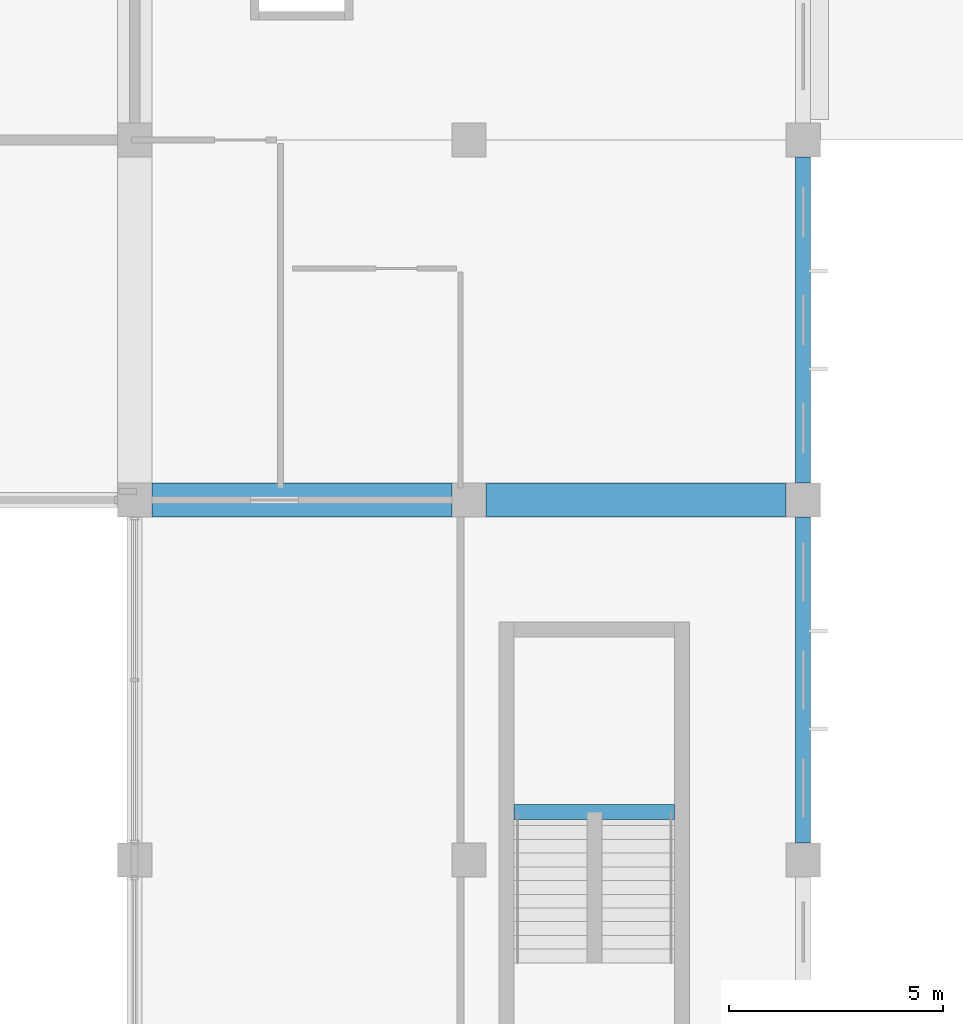
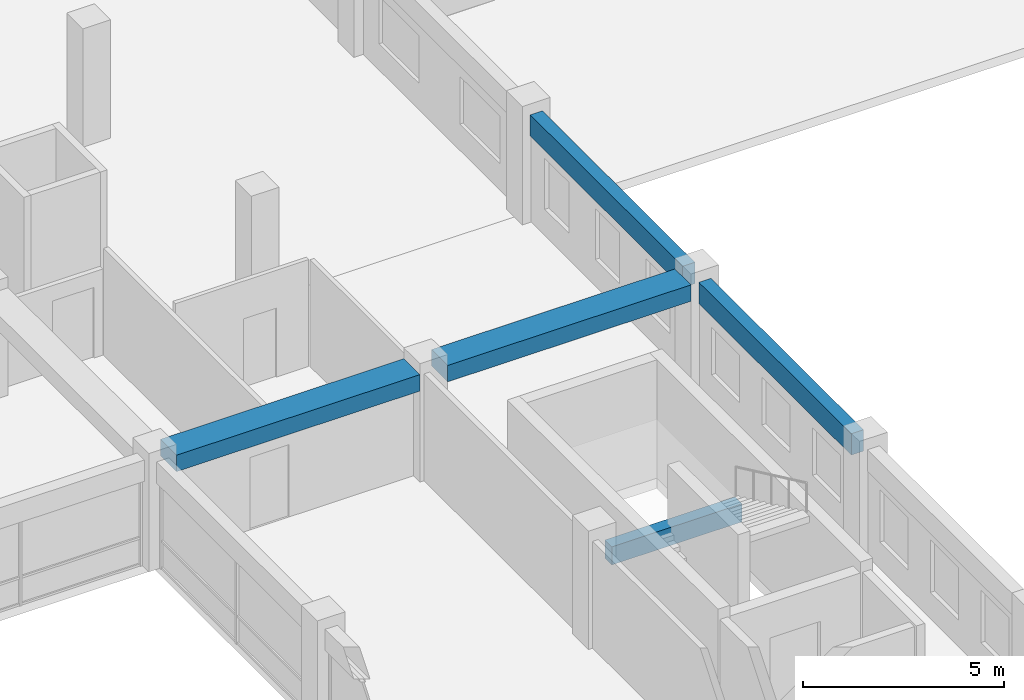
# One storey, part 19 of 50: 5 beams.
"""IFC4 building model written with IfcOpenShell, lengths in metres."""

from ifc_helpers import new_model, si_unit, direction, frame, origin, origin_2d, place, context, subcontext, project, spatial, rectangle, extrude, material, material_profile, profile_set, type_object, element, save


model = new_model("IFC4")

# Units and contexts
model_context = context("Model", 3, precision=1e-05, world=origin(), true_north=direction((0.0, 1.0)))
body_context = subcontext(model_context, "Body", "Model", "MODEL_VIEW")
ifc_project = project(units=[si_unit("LENGTHUNIT", "METRE"), si_unit("AREAUNIT", "SQUARE_METRE"), si_unit("VOLUMEUNIT", "CUBIC_METRE"), si_unit("PLANEANGLEUNIT", "RADIAN"), si_unit("MASSUNIT", "GRAM", prefix="KILO"), si_unit("THERMODYNAMICTEMPERATUREUNIT", "KELVIN"), si_unit("POWERUNIT", "WATT")], contexts=[model_context])

# Site, building, storey
site_placement = place(None, origin())
site = spatial("IfcSite", under=ifc_project, at=site_placement, CompositionType="ELEMENT")
building_placement = place(site_placement, origin())
building = spatial("IfcBuilding", under=site, at=building_placement, Name="Srebrne Nadtorze General Hospital", CompositionType="ELEMENT")
storey_placement = place(building_placement, frame((0.0, 0.0, 14.39990234375)))
storey = spatial("IfcBuildingStorey", under=building, at=storey_placement, Name="L03", CompositionType="ELEMENT", Elevation=14.39990234375)

# Beams
ifc_material_1 = material(Name="Concrete C35/45", Category="concrete")
ifc_material_profile_1 = material_profile(ifc_material_1, rectangle(XDim=0.35009765625, YDim=0.64990234375, at=origin_2d()), Name="RC-BM-350x650")
ifc_profile_set_1 = profile_set([ifc_material_profile_1], Name="Concrete C35/45")
beam_type_1 = type_object("IfcBeamType", Name="Edge beam RC 350x650", PredefinedType="BEAM", material=ifc_profile_set_1)
beam_1_placement = place(storey_placement, frame((148.199951171875, 17.199951171875, 2.945068359375), z_axis=(0.0, 1.0, 0.0), x_axis=(-1.0, 0.0, 0.0)))
element("IfcBeam", 1, at=beam_1_placement, inside=storey, type_object=beam_type_1, Name="Beam BM-L03-Y-0850", PredefinedType="BEAM", context=body_context, shape_type="SweptSolid", body=[
    extrude(rectangle(XDim=0.35009765625, YDim=0.64990234375, at=origin_2d()), origin(), (0.0, 0.0, 1.0), 7.60009765625),
])
beam_2_placement = place(storey_placement, frame((148.199951171875, 25.60009765625, 2.945068359375), z_axis=(0.0, 1.0, 0.0), x_axis=(-1.0, 0.0, 0.0)))
element("IfcBeam", 2, at=beam_2_placement, inside=storey, type_object=beam_type_1, Name="Beam BM-L03-Y-0851", PredefinedType="BEAM", context=body_context, shape_type="SweptSolid", body=[
    extrude(rectangle(XDim=0.35009765625, YDim=0.64990234375, at=origin_2d()), origin(), (0.0, 0.0, 1.0), 7.599853515625),
])
ifc_material_2 = material(Name="Concrete C40/50", Category="concrete")
ifc_material_profile_2 = material_profile(ifc_material_2, rectangle(XDim=0.800048828125, YDim=0.5, at=origin_2d()), Name="RC-BM-800x500")
ifc_profile_set_2 = profile_set([ifc_material_profile_2], Name="Concrete C40/50")
beam_type_2 = type_object("IfcBeamType", Name="Primary beam RC 800x500", PredefinedType="BEAM", material=ifc_profile_set_2)
for number, where, z_axis, x_axis, name in (
    (3, (133.0, 25.199951171875, 3.02001953125), (1.0, 0.0, 0.0), (0.0, 1.0, 0.0), "Beam BM-L03-X-0739"),
    (4, (140.800048828125, 25.199951171875, 3.02001953125), (1.0, 0.0, 0.0), (0.0, 1.0, 0.0), "Beam BM-L03-X-0740"),
):
    element("IfcBeam", number, at=place(storey_placement, frame(where, z_axis=z_axis, x_axis=x_axis)), inside=storey, type_object=beam_type_2, Name=name, PredefinedType="BEAM", context=body_context, shape_type="SweptSolid", body=[
        extrude(rectangle(XDim=0.800048828125, YDim=0.5, at=origin_2d()), origin(), (0.0, 0.0, 1.0), 7.0),
    ])
ifc_material_3 = material(Name="Concrete C35/45", Category="concrete")
ifc_material_profile_3 = material_profile(ifc_material_3, rectangle(XDim=0.35009765625, YDim=0.550048828125, at=origin_2d()), Name="RC-BM-350x550")
ifc_profile_set_3 = profile_set([ifc_material_profile_3], Name="Concrete C35/45")
beam_type_3 = type_object("IfcBeamType", Name="Spandrel lintel beam RC 350x550", PredefinedType="LINTEL", material=ifc_profile_set_3)
beam_3_placement = place(storey_placement, frame((141.449951171875, 17.919921875, 1.525146484375), z_axis=(1.0, 0.0, 0.0), x_axis=(0.0, 1.0, 0.0)))
element("IfcBeam", 5, at=beam_3_placement, inside=storey, type_object=beam_type_3, Name="Stair landing header beam ST-08 L03", PredefinedType="LINTEL", context=body_context, shape_type="SweptSolid", body=[
    extrude(rectangle(XDim=0.35009765625, YDim=0.550048828125, at=origin_2d()), origin(), (0.0, 0.0, 1.0), 3.75),
])

save(model, "model.ifc")
